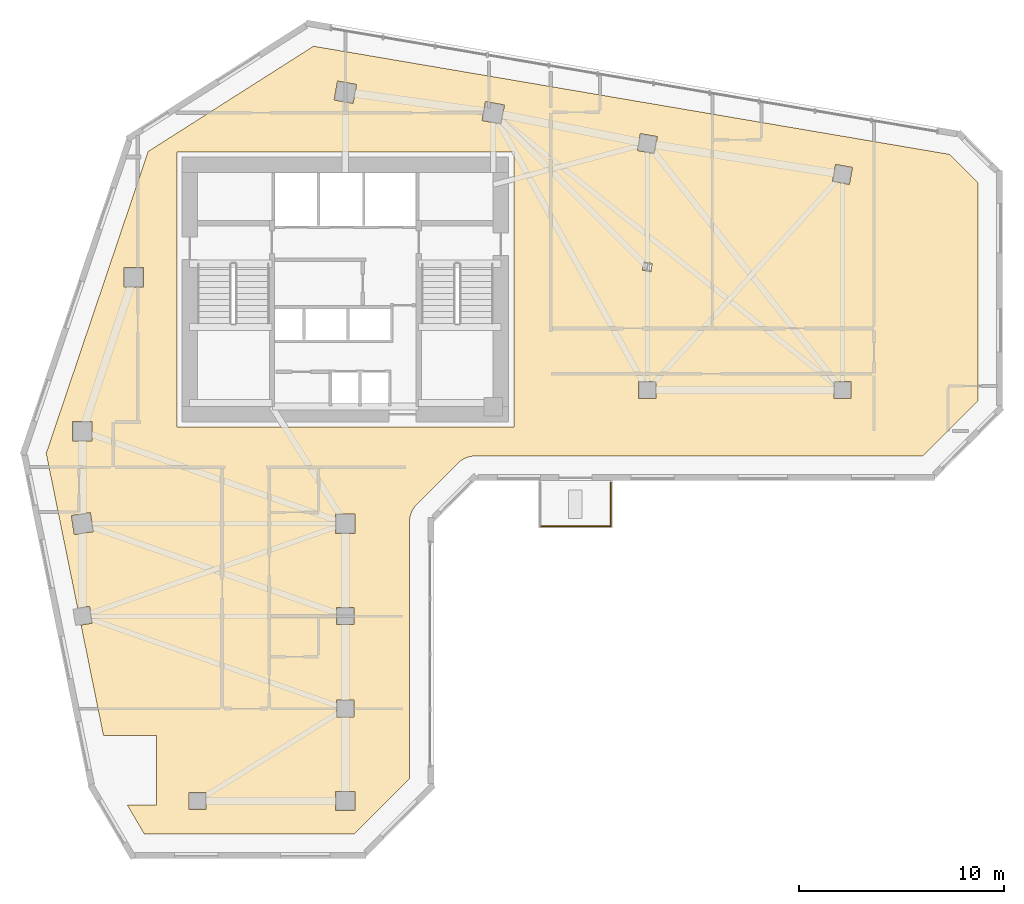
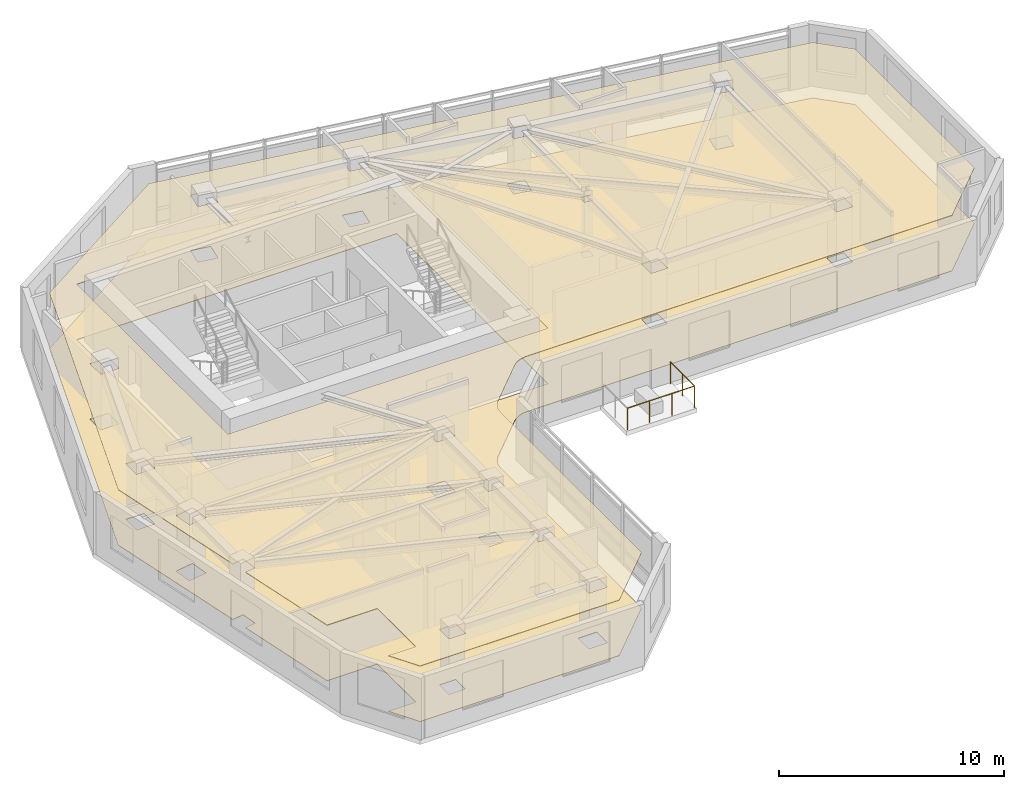
# One storey, part 10 of 11: 2 coverings, 2 railings.
"""IFC4 building model written with IfcOpenShell, lengths in metres."""

from ifc_helpers import new_model, si_unit, direction, frame, origin, origin_2d, place, context, subcontext, project, spatial, polyline, circle, outline, extrude, material, layer, layer_set, type_object, element, save


model = new_model("IFC4")

# Units and contexts
model_context = context("Model", 3, precision=1e-05, world=origin(), true_north=direction((0.0, 1.0)))
body_context = subcontext(model_context, "Body", "Model", "MODEL_VIEW")
ifc_project = project(units=[si_unit("LENGTHUNIT", "METRE"), si_unit("AREAUNIT", "SQUARE_METRE"), si_unit("VOLUMEUNIT", "CUBIC_METRE"), si_unit("PLANEANGLEUNIT", "RADIAN"), si_unit("MASSUNIT", "GRAM", prefix="KILO")], contexts=[model_context])

# Site, building, storey
site_placement = place(None, origin())
site = spatial("IfcSite", under=ifc_project, at=site_placement, CompositionType="ELEMENT")
building_placement = place(site_placement, origin())
building = spatial("IfcBuilding", under=site, at=building_placement, Name="Calvemar Wedge Station Tower", CompositionType="ELEMENT")
storey_placement = place(building_placement, frame((0.0, 0.0, 143.0)))
storey = spatial("IfcBuildingStorey", under=building, at=storey_placement, Name="L35", CompositionType="ELEMENT", Elevation=143.0)

# Coverings
ifc_material_1 = material(Name="Acoustic mineral fibre ceiling board")
ifc_layer_1 = layer(ifc_material_1, 0.0400390625)
ifc_layer_set_1 = layer_set([ifc_layer_1], Name="Acoustic mineral fibre ceiling board")
covering_type_1 = type_object("IfcCoveringType", Name="COV-CEIL-ACOUSTIC", PredefinedType="CEILING", material=ifc_layer_set_1)
covering_1_placement = place(storey_placement, frame((0.0, 0.0, 3.0)))
element("IfcCovering", 1, at=covering_1_placement, inside=storey, type_object=covering_type_1, Name="Storey L35 Acoustic Suspended Ceiling", PredefinedType="CEILING", context=body_context, shape_type="SweptSolid", body=[
    extrude(outline(polyline([(27.279541015625, 29.4404296875), (29.279541015625, 31.4404296875), (29.36669921875, 31.51953125), (29.461181640625, 31.58984375), (29.562255859375, 31.650390625), (29.668701171875, 31.70068359375), (29.77978515625, 31.740234375), (29.893798828125, 31.768798828125), (30.010498046875, 31.7861328125), (30.1279296875, 31.7919921875), (51.90283203125, 31.7919921875), (54.60009765625, 34.489013671875), (54.60009765625, 45.094970703125), (53.221923828125, 46.47314453125), (22.25439453125, 51.739501953125), (14.201416015625, 46.614990234375), (9.240234375, 31.922119140625), (10.76904296875, 24.388427734375), (11.348388671875, 24.481201171875), (11.481201171875, 23.651611328125), (10.936279296875, 23.564453125), (12.02490234375, 18.199951171875), (14.60009765625, 18.199951171875), (14.60009765625, 14.800048828125), (13.19091796875, 14.800048828125), (14.014404296875, 13.39990234375), (24.23095703125, 13.39990234375), (26.927978515625, 16.09716796875), (26.927978515625, 28.592041015625), (26.933837890625, 28.709716796875), (26.951171875, 28.826171875), (26.979736328125, 28.940185546875), (27.019287109375, 29.05126953125), (27.069580078125, 29.15771484375), (27.130126953125, 29.2587890625), (27.200439453125, 29.353271484375), (27.279541015625, 29.4404296875)]), holes=[polyline([(15.60009765625, 46.60009765625), (32.0, 46.60009765625), (32.0, 33.199951171875), (15.60009765625, 33.199951171875), (15.60009765625, 46.60009765625)]), polyline([(10.530029296875, 32.530029296875), (10.530029296875, 33.469970703125), (11.469970703125, 33.469970703125), (11.469970703125, 32.530029296875), (10.530029296875, 32.530029296875)]), polyline([(13.030029296875, 40.969970703125), (13.969970703125, 40.969970703125), (13.969970703125, 40.030029296875), (13.030029296875, 40.030029296875), (13.030029296875, 40.969970703125)]), polyline([(24.345703125, 49.87939453125), (24.17919921875, 48.9541015625), (23.254150390625, 49.12060546875), (23.420654296875, 50.0458984375), (24.345703125, 49.87939453125)]), polyline([(31.37939453125, 47.9541015625), (30.4541015625, 48.12060546875), (30.62060546875, 49.0458984375), (31.5458984375, 48.87939453125), (31.37939453125, 47.9541015625)]), polyline([(38.01220703125, 46.660888671875), (38.160888671875, 47.48779296875), (38.98779296875, 47.339111328125), (38.839111328125, 46.51220703125), (38.01220703125, 46.660888671875)]), polyline([(47.660888671875, 45.98779296875), (48.48779296875, 45.839111328125), (48.339111328125, 45.01220703125), (47.51220703125, 45.160888671875), (47.660888671875, 45.98779296875)]), polyline([(38.919921875, 35.419921875), (38.919921875, 34.580078125), (38.080078125, 34.580078125), (38.080078125, 35.419921875), (38.919921875, 35.419921875)]), polyline([(48.419921875, 34.580078125), (47.580078125, 34.580078125), (47.580078125, 35.419921875), (48.419921875, 35.419921875), (48.419921875, 34.580078125)]), polyline([(38.259765625, 40.833984375), (38.332763671875, 41.239501953125), (38.740234375, 41.166015625), (38.667236328125, 40.760498046875), (38.259765625, 40.833984375)]), polyline([(11.389892578125, 29.038330078125), (11.538330078125, 28.110107421875), (10.610107421875, 27.961669921875), (10.461669921875, 28.889892578125), (11.389892578125, 29.038330078125)]), polyline([(24.27001953125, 28.030029296875), (23.330078125, 28.030029296875), (23.330078125, 28.969970703125), (24.27001953125, 28.969970703125), (24.27001953125, 28.030029296875)]), polyline([(23.3798828125, 23.580078125), (23.3798828125, 24.419921875), (24.219970703125, 24.419921875), (24.219970703125, 23.580078125), (23.3798828125, 23.580078125)]), polyline([(23.3798828125, 19.919921875), (24.219970703125, 19.919921875), (24.219970703125, 19.080078125), (23.3798828125, 19.080078125), (23.3798828125, 19.919921875)]), polyline([(24.27001953125, 15.469970703125), (24.27001953125, 14.530029296875), (23.330078125, 14.530029296875), (23.330078125, 15.469970703125), (24.27001953125, 15.469970703125)]), polyline([(17.02001953125, 14.580078125), (16.179931640625, 14.580078125), (16.179931640625, 15.419921875), (17.02001953125, 15.419921875), (17.02001953125, 14.580078125)])]), origin(), (0.0, 0.0, 1.0), 0.0400390625),
])
ifc_material_2 = material(Name="Honed coastal granite stone tile", Category="masonry")
ifc_layer_2 = layer(ifc_material_2, 0.030029296875)
ifc_layer_set_2 = layer_set([ifc_layer_2], Name="Honed coastal granite stone tile")
covering_type_2 = type_object("IfcCoveringType", Name="COV-FLR-STONE", PredefinedType="FLOORING", material=ifc_layer_set_2)
covering_2_placement = place(storey_placement, origin())
element("IfcCovering", 2, at=covering_2_placement, inside=storey, type_object=covering_type_2, Name="Storey L35 Architectural Floor Finish", PredefinedType="FLOORING", context=body_context, shape_type="SweptSolid", body=[
    extrude(outline(polyline([(27.279541015625, 29.4404296875), (29.279541015625, 31.4404296875), (29.36669921875, 31.51953125), (29.461181640625, 31.58984375), (29.562255859375, 31.650390625), (29.668701171875, 31.70068359375), (29.77978515625, 31.740234375), (29.893798828125, 31.768798828125), (30.010498046875, 31.7861328125), (30.1279296875, 31.7919921875), (51.90283203125, 31.7919921875), (54.60009765625, 34.489013671875), (54.60009765625, 45.094970703125), (53.221923828125, 46.47314453125), (22.25439453125, 51.739501953125), (14.201416015625, 46.614990234375), (9.240234375, 31.922119140625), (10.76904296875, 24.388427734375), (11.348388671875, 24.481201171875), (11.481201171875, 23.651611328125), (10.936279296875, 23.564453125), (12.02490234375, 18.199951171875), (14.60009765625, 18.199951171875), (14.60009765625, 14.800048828125), (13.19091796875, 14.800048828125), (14.014404296875, 13.39990234375), (24.23095703125, 13.39990234375), (26.927978515625, 16.09716796875), (26.927978515625, 28.592041015625), (26.933837890625, 28.709716796875), (26.951171875, 28.826171875), (26.979736328125, 28.940185546875), (27.019287109375, 29.05126953125), (27.069580078125, 29.15771484375), (27.130126953125, 29.2587890625), (27.200439453125, 29.353271484375), (27.279541015625, 29.4404296875)]), holes=[polyline([(15.60009765625, 46.60009765625), (32.0, 46.60009765625), (32.0, 33.199951171875), (15.60009765625, 33.199951171875), (15.60009765625, 46.60009765625)]), polyline([(10.530029296875, 32.530029296875), (10.530029296875, 33.469970703125), (11.469970703125, 33.469970703125), (11.469970703125, 32.530029296875), (10.530029296875, 32.530029296875)]), polyline([(13.030029296875, 40.969970703125), (13.969970703125, 40.969970703125), (13.969970703125, 40.030029296875), (13.030029296875, 40.030029296875), (13.030029296875, 40.969970703125)]), polyline([(24.345703125, 49.87939453125), (24.17919921875, 48.9541015625), (23.254150390625, 49.12060546875), (23.420654296875, 50.0458984375), (24.345703125, 49.87939453125)]), polyline([(31.37939453125, 47.9541015625), (30.4541015625, 48.12060546875), (30.62060546875, 49.0458984375), (31.5458984375, 48.87939453125), (31.37939453125, 47.9541015625)]), polyline([(38.01220703125, 46.660888671875), (38.160888671875, 47.48779296875), (38.98779296875, 47.339111328125), (38.839111328125, 46.51220703125), (38.01220703125, 46.660888671875)]), polyline([(47.660888671875, 45.98779296875), (48.48779296875, 45.839111328125), (48.339111328125, 45.01220703125), (47.51220703125, 45.160888671875), (47.660888671875, 45.98779296875)]), polyline([(38.919921875, 35.419921875), (38.919921875, 34.580078125), (38.080078125, 34.580078125), (38.080078125, 35.419921875), (38.919921875, 35.419921875)]), polyline([(48.419921875, 34.580078125), (47.580078125, 34.580078125), (47.580078125, 35.419921875), (48.419921875, 35.419921875), (48.419921875, 34.580078125)]), polyline([(38.259765625, 40.833984375), (38.332763671875, 41.239501953125), (38.740234375, 41.166015625), (38.667236328125, 40.760498046875), (38.259765625, 40.833984375)]), polyline([(11.389892578125, 29.038330078125), (11.538330078125, 28.110107421875), (10.610107421875, 27.961669921875), (10.461669921875, 28.889892578125), (11.389892578125, 29.038330078125)]), polyline([(24.27001953125, 28.030029296875), (23.330078125, 28.030029296875), (23.330078125, 28.969970703125), (24.27001953125, 28.969970703125), (24.27001953125, 28.030029296875)]), polyline([(23.3798828125, 23.580078125), (23.3798828125, 24.419921875), (24.219970703125, 24.419921875), (24.219970703125, 23.580078125), (23.3798828125, 23.580078125)]), polyline([(23.3798828125, 19.919921875), (24.219970703125, 19.919921875), (24.219970703125, 19.080078125), (23.3798828125, 19.080078125), (23.3798828125, 19.919921875)]), polyline([(24.27001953125, 15.469970703125), (24.27001953125, 14.530029296875), (23.330078125, 14.530029296875), (23.330078125, 15.469970703125), (24.27001953125, 15.469970703125)]), polyline([(17.02001953125, 14.580078125), (16.179931640625, 14.580078125), (16.179931640625, 15.419921875), (17.02001953125, 15.419921875), (17.02001953125, 14.580078125)])]), origin(), (0.0, 0.0, 1.0), 0.030029296875),
])

# Railings
ifc_material_3 = material(Name="Stainless steel AISI 316L", Category="steel")
railing_type = type_object("IfcRailingType", Name="GRD-TERR-1200", PredefinedType="GUARDRAIL", material=ifc_material_3)
railing_1_placement = place(storey_placement, frame((36.719970703125, 30.511962890625, 0.0)))
element("IfcRailing", 3, at=railing_1_placement, inside=storey, type_object=railing_type, Name="Storey L35 Spiral Terrace Guard 2", PredefinedType="GUARDRAIL", context=body_context, shape_type="SweptSolid", body=[
    extrude(circle(Radius=0.02392578125, at=origin_2d()), frame((0.0, 0.0, 1.17578125), z_axis=(0.0, -1.0, 0.0), x_axis=(1.0, 0.0, 0.0)), (0.0, 0.0, 1.0), 2.139892578125),
    extrude(circle(Radius=0.02099609375, at=origin_2d()), origin(), (0.0, 0.0, 1.0), 1.15185546875),
    extrude(circle(Radius=0.02099609375, at=origin_2d()), frame((0.0, -1.06982421875, 0.0)), (0.0, 0.0, 1.0), 1.15185546875),
    extrude(circle(Radius=0.02099609375, at=origin_2d()), frame((0.0, -2.139892578125, 0.0)), (0.0, 0.0, 1.0), 1.15185546875),
])
railing_2_placement = place(storey_placement, frame((36.719970703125, 28.3720703125, 0.0)))
element("IfcRailing", 4, at=railing_2_placement, inside=storey, type_object=railing_type, Name="Storey L35 Spiral Terrace Guard 3", PredefinedType="GUARDRAIL", context=body_context, shape_type="SweptSolid", body=[
    extrude(circle(Radius=0.02392578125, at=origin_2d()), frame((0.0, 0.0, 1.17578125), z_axis=(-1.0, 0.0, 0.0), x_axis=(0.0, -1.0, 0.0)), (0.0, 0.0, 1.0), 3.43994140625),
    extrude(circle(Radius=0.02099609375, at=origin_2d()), origin(), (0.0, 0.0, 1.0), 1.15185546875),
    extrude(circle(Radius=0.02099609375, at=origin_2d()), frame((-1.146728515625, 0.0, 0.0)), (0.0, 0.0, 1.0), 1.15185546875),
    extrude(circle(Radius=0.02099609375, at=origin_2d()), frame((-2.293212890625, 0.0, 0.0)), (0.0, 0.0, 1.0), 1.15185546875),
    extrude(circle(Radius=0.02099609375, at=origin_2d()), frame((-3.43994140625, 0.0, 0.0)), (0.0, 0.0, 1.0), 1.15185546875),
])

save(model, "model.ifc")
